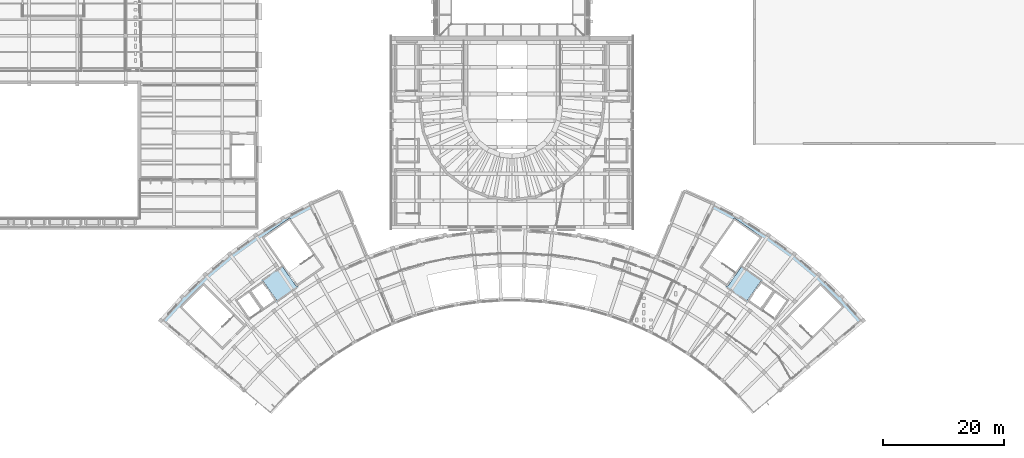
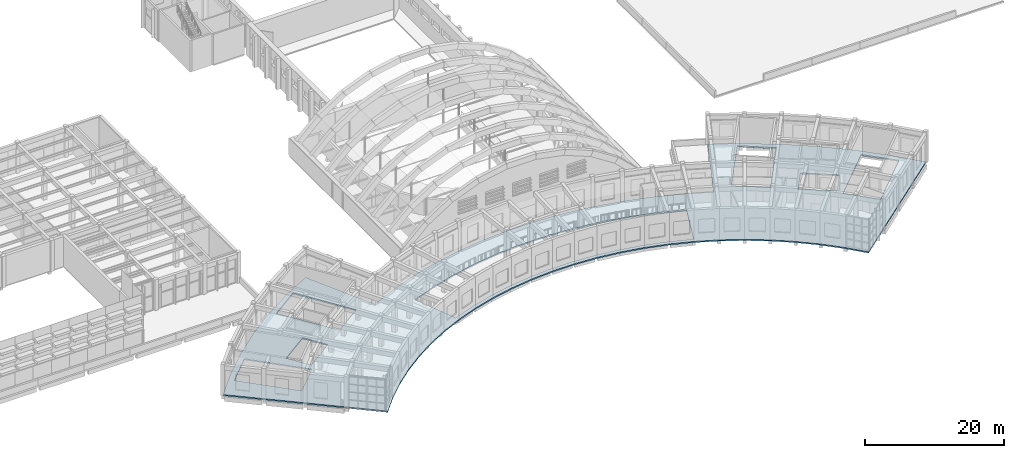
# One storey, part 54 of 94: 1 slab.
"""IFC4 building model written with IfcOpenShell, lengths in metres."""

from ifc_helpers import new_model, si_unit, direction, frame, origin, place, context, subcontext, project, spatial, polyline, outline, extrude, material, layer, layer_set, type_object, element, save


model = new_model("IFC4")

# Units and contexts
model_context = context("Model", 3, precision=1e-05, world=origin(), true_north=direction((0.0, 1.0)))
body_context = subcontext(model_context, "Body", "Model", "MODEL_VIEW")
ifc_project = project(units=[si_unit("LENGTHUNIT", "METRE"), si_unit("AREAUNIT", "SQUARE_METRE"), si_unit("VOLUMEUNIT", "CUBIC_METRE"), si_unit("PLANEANGLEUNIT", "RADIAN"), si_unit("MASSUNIT", "GRAM", prefix="KILO")], contexts=[model_context])

# Site, building, storey
site_placement = place(None, origin())
site = spatial("IfcSite", under=ifc_project, at=site_placement, CompositionType="ELEMENT")
building_placement = place(site_placement, origin())
building = spatial("IfcBuilding", under=site, at=building_placement, Name="Lunette Opera House", CompositionType="ELEMENT")
storey_placement = place(building_placement, frame((0.0, 0.0, 22.5)))
storey = spatial("IfcBuildingStorey", under=building, at=storey_placement, Name="L04", CompositionType="ELEMENT", Elevation=22.5)

# Slab
ifc_material = material(Name="Concrete C35/45", Category="concrete")
ifc_layer = layer(ifc_material, 0.219970703125)
ifc_layer_set = layer_set([ifc_layer], Name="Concrete C35/45")
slab_type = type_object("IfcSlabType", Name="FLOOR SLAB 220", PredefinedType="FLOOR", material=ifc_layer_set)
slab_placement = place(storey_placement, frame((0.0, 0.0, -0.219970703125)))
element("IfcSlab", 1, at=slab_placement, inside=storey, type_object=slab_type, Name="slab-FC-L04-F1", PredefinedType="FLOOR", context=body_context, shape_type="SweptSolid", body=[
    extrude(outline(polyline([(80.51708984375, 62.09912109375), (76.222900390625, 60.867919921875), (72.02490234375, 59.340087890625), (67.944091796875, 57.52294921875), (62.68408203125, 68.30810546875), (58.0, 65.818115234375), (53.5009765625, 63.007080078125), (49.2099609375, 59.888916015625), (45.14599609375, 56.47900390625), (41.330078125, 52.7939453125), (37.781005859375, 48.85205078125), (46.972900390625, 41.137939453125), (56.166015625, 33.425048828125), (58.593994140625, 36.1220703125), (61.205078125, 38.64404296875), (63.986083984375, 40.97705078125), (66.922119140625, 43.110107421875), (70.0, 45.032958984375), (73.205078125, 46.737060546875), (76.52001953125, 48.214111328125), (79.930908203125, 49.455078125), (83.419921875, 50.455078125), (86.969970703125, 51.2099609375), (90.56494140625, 51.715087890625), (94.18505859375, 51.968017578125), (97.81494140625, 51.968017578125), (101.43505859375, 51.715087890625), (105.030029296875, 51.2099609375), (108.580078125, 50.455078125), (112.069091796875, 49.455078125), (115.47998046875, 48.214111328125), (118.794921875, 46.737060546875), (122.0, 45.032958984375), (125.077880859375, 43.110107421875), (128.013916015625, 40.97705078125), (130.794921875, 38.64404296875), (133.406005859375, 36.1220703125), (135.833984375, 33.425048828125), (145.027099609375, 41.137939453125), (154.218994140625, 48.85205078125), (150.669921875, 52.7939453125), (146.85400390625, 56.47900390625), (142.7900390625, 59.888916015625), (138.4990234375, 63.007080078125), (134.0, 65.818115234375), (129.31591796875, 68.30810546875), (124.055908203125, 57.52294921875), (119.97509765625, 59.340087890625), (115.777099609375, 60.867919921875), (111.48291015625, 62.09912109375), (107.113037109375, 63.028076171875), (102.68994140625, 63.64892578125), (98.23388671875, 63.9609375), (93.76611328125, 63.9609375), (89.31005859375, 63.64892578125), (84.886962890625, 63.028076171875), (80.51708984375, 62.09912109375)]), holes=[polyline([(79.74609375, 50.02587890625), (76.2958984375, 48.77001953125), (73.52392578125, 55.631103515625), (77.458984375, 57.06298828125), (81.485107421875, 58.218017578125), (85.5810546875, 59.087890625), (89.72802734375, 59.6708984375), (93.906005859375, 59.962890625), (98.093994140625, 59.962890625), (102.27197265625, 59.6708984375), (106.4189453125, 59.087890625), (110.514892578125, 58.218017578125), (114.541015625, 57.06298828125), (118.47607421875, 55.631103515625), (115.7041015625, 48.77001953125), (112.25390625, 50.02587890625), (108.72509765625, 51.0380859375), (105.134033203125, 51.801025390625), (101.498046875, 52.31201171875), (97.8359375, 52.568115234375), (94.1640625, 52.568115234375), (90.501953125, 52.31201171875), (86.865966796875, 51.801025390625), (83.27490234375, 51.0380859375), (79.74609375, 50.02587890625)]), polyline([(44.912109375, 55.048095703125), (51.98291015625, 47.97705078125), (48.02294921875, 44.01708984375), (40.951904296875, 51.087890625), (44.912109375, 55.048095703125)]), polyline([(151.048095703125, 51.087890625), (143.97705078125, 44.01708984375), (140.01708984375, 47.97705078125), (147.087890625, 55.048095703125), (151.048095703125, 51.087890625)]), polyline([(50.1689453125, 52.202880859375), (52.462890625, 53.80908203125), (54.756103515625, 55.4150390625), (57.051025390625, 52.138916015625), (54.757080078125, 50.532958984375), (52.462890625, 48.927001953125), (50.1689453125, 52.202880859375)]), polyline([(141.8310546875, 52.202880859375), (139.537109375, 48.927001953125), (137.242919921875, 50.532958984375), (134.948974609375, 52.138916015625), (137.243896484375, 55.4150390625), (139.537109375, 53.80908203125), (141.8310546875, 52.202880859375)]), polyline([(54.591064453125, 62.625), (59.178955078125, 65.8369140625), (64.9140625, 57.64501953125), (60.326904296875, 54.43310546875), (54.591064453125, 62.625)]), polyline([(137.408935546875, 62.625), (131.673095703125, 54.43310546875), (127.0859375, 57.64501953125), (132.821044921875, 65.8369140625), (137.408935546875, 62.625)])]), origin(), (0.0, 0.0, 1.0), 0.219970703125),
])

save(model, "model.ifc")
